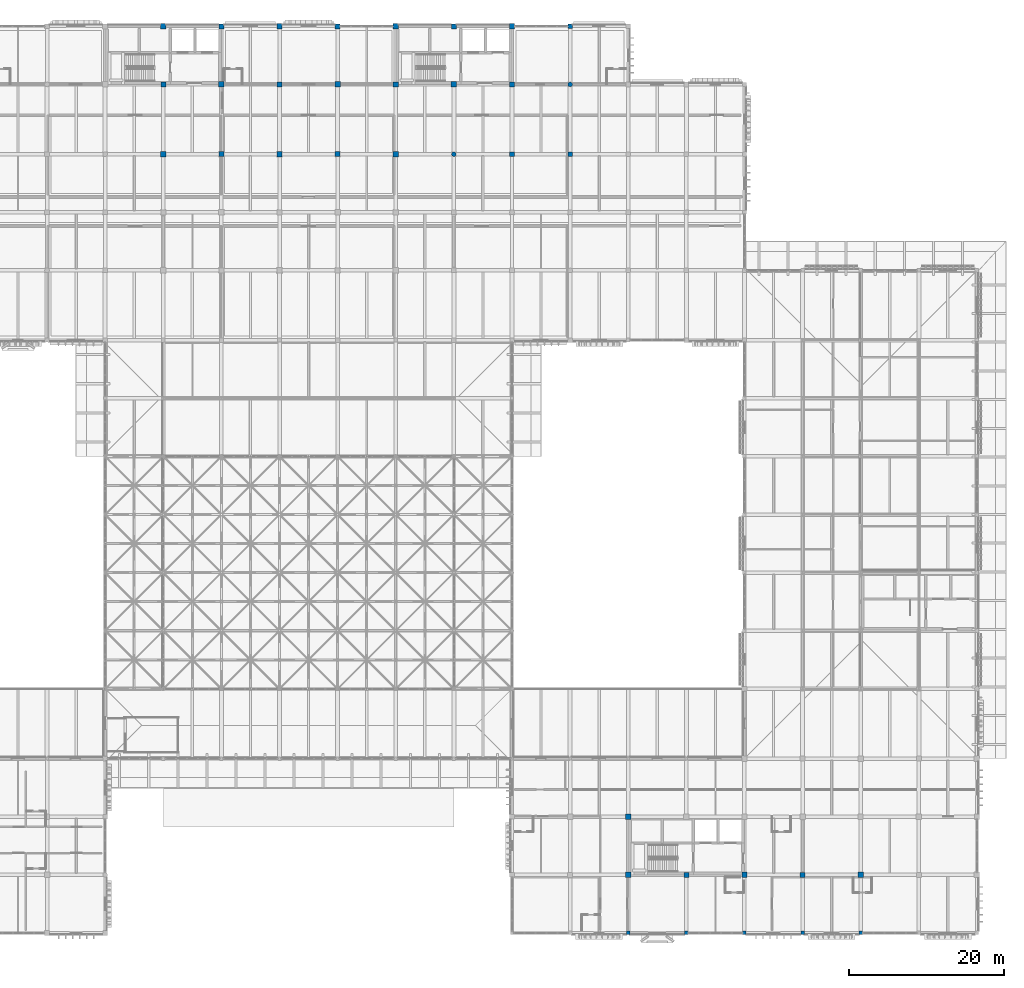
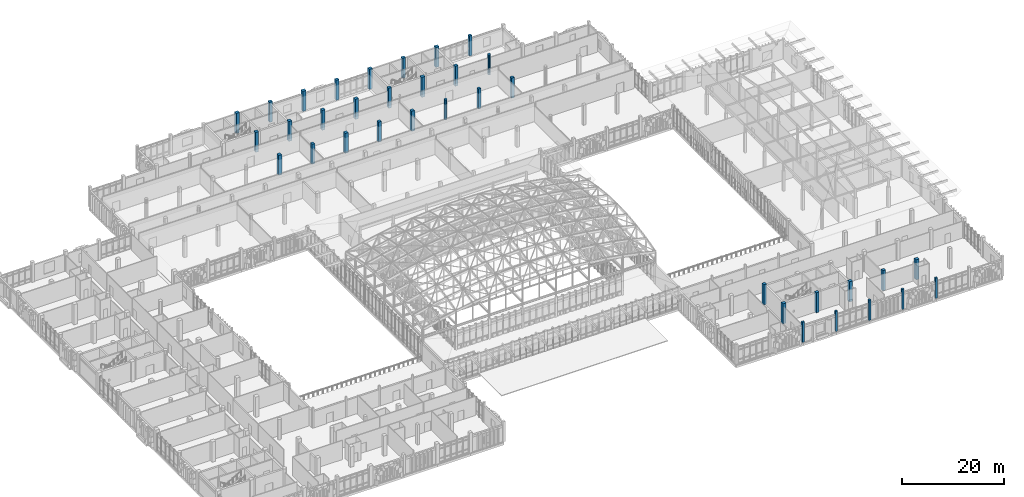
# One storey, part 10 of 131: 35 columns.
"""IFC4 building model written with IfcOpenShell, lengths in metres."""

from ifc_helpers import new_model, si_unit, direction, frame, origin, origin_2d, place, context, subcontext, project, spatial, rectangle, circle, extrude, material, material_profile, profile_set, type_object, element, save


model = new_model("IFC4")

# Units and contexts
model_context = context("Model", 3, precision=1e-05, world=origin(), true_north=direction((0.0, 1.0)))
body_context = subcontext(model_context, "Body", "Model", "MODEL_VIEW")
ifc_project = project(units=[si_unit("LENGTHUNIT", "METRE"), si_unit("AREAUNIT", "SQUARE_METRE"), si_unit("VOLUMEUNIT", "CUBIC_METRE"), si_unit("PLANEANGLEUNIT", "RADIAN"), si_unit("MASSUNIT", "GRAM", prefix="KILO")], contexts=[model_context])

# Site, building, storey
site_placement = place(None, origin())
site = spatial("IfcSite", under=ifc_project, at=site_placement, CompositionType="ELEMENT")
building_placement = place(site_placement, origin())
building = spatial("IfcBuilding", under=site, at=building_placement, Name="Dalvernix Boulevard General Hospital", CompositionType="ELEMENT")
storey_placement = place(building_placement, frame((0.0, 0.0, 9.300048828125)))
storey = spatial("IfcBuildingStorey", under=building, at=storey_placement, Name="L02", CompositionType="ELEMENT", Elevation=9.300048828125)

# Columns
ifc_material = material(Name="Concrete C40/50", Category="concrete")
ifc_material_profile_1 = material_profile(ifc_material, rectangle(XDim=0.699951171875, YDim=0.699951171875, at=origin_2d()), Name="RC 700x700")
ifc_profile_set_1 = profile_set([ifc_material_profile_1], Name="Concrete C40/50")
column_type_1 = type_object("IfcColumnType", Name="COL-C-05-E", PredefinedType="COLUMN", material=ifc_profile_set_1)
for number, where, z_axis, x_axis, name in (
    (1, (67.5, 117.0, 0.0), (0.0, 0.0, 1.0), (1.0, 0.0, 0.0), "L02 column 10R"),
    (2, (82.5, 117.0, 0.0), (0.0, 0.0, 1.0), (1.0, 0.0, 0.0), "L02 column 12R"),
    (3, (97.5, 117.0, 0.0), (0.0, 0.0, 1.0), (1.0, 0.0, 0.0), "L02 column 14R"),
    (4, (112.5, 117.0, 0.0), (0.0, 0.0, 1.0), (1.0, 0.0, 0.0), "L02 column 16R"),
):
    element("IfcColumn", number, at=place(storey_placement, frame(where, z_axis=z_axis, x_axis=x_axis)), inside=storey, type_object=column_type_1, Name=name, PredefinedType="COLUMN", context=body_context, shape_type="SweptSolid", body=[
        extrude(rectangle(XDim=0.699951171875, YDim=0.699951171875, at=origin_2d()), origin(), (0.0, 0.0, 1.0), 4.800048828125),
    ])
ifc_material_profile_2 = material_profile(ifc_material, rectangle(XDim=0.699951171875, YDim=0.699951171875, at=origin_2d()), Name="RC 700x700")
ifc_profile_set_2 = profile_set([ifc_material_profile_2], Name="Concrete C40/50")
column_type_2 = type_object("IfcColumnType", Name="COL-C-05-I", PredefinedType="COLUMN", material=ifc_profile_set_2)
for number, where, z_axis, x_axis, name in (
    (5, (67.5, 100.5, 0.0), (0.0, 0.0, 1.0), (1.0, 0.0, 0.0), "L02 column 10P"),
    (6, (75.0, 109.5, 0.0), (0.0, 0.0, 1.0), (1.0, 0.0, 0.0), "L02 column 11Q"),
    (7, (82.5, 100.5, 0.0), (0.0, 0.0, 1.0), (1.0, 0.0, 0.0), "L02 column 12P"),
    (8, (90.0, 109.5, 0.0), (0.0, 0.0, 1.0), (1.0, 0.0, 0.0), "L02 column 13Q"),
    (9, (97.5, 100.5, 0.0), (0.0, 0.0, 1.0), (1.0, 0.0, 0.0), "L02 column 14P"),
    (10, (105.0, 109.5, 0.0), (0.0, 0.0, 1.0), (1.0, 0.0, 0.0), "L02 column 15Q"),
    (11, (127.5, 7.5, 0.0), (0.0, 0.0, 1.0), (1.0, 0.0, 0.0), "L02 column 18B"),
    (12, (142.5, 7.5, 0.0), (0.0, 0.0, 1.0), (1.0, 0.0, 0.0), "L02 column 20B"),
    (13, (157.5, 7.5, 0.0), (0.0, 0.0, 1.0), (1.0, 0.0, 0.0), "L02 column 22B"),
):
    element("IfcColumn", number, at=place(storey_placement, frame(where, z_axis=z_axis, x_axis=x_axis)), inside=storey, type_object=column_type_2, Name=name, PredefinedType="COLUMN", context=body_context, shape_type="SweptSolid", body=[
        extrude(rectangle(XDim=0.699951171875, YDim=0.699951171875, at=origin_2d()), origin(), (0.0, 0.0, 1.0), 4.800048828125),
    ])
ifc_material_profile_3 = material_profile(ifc_material, rectangle(XDim=0.64990234375, YDim=0.64990234375, at=origin_2d()), Name="RC 650x650")
ifc_profile_set_3 = profile_set([ifc_material_profile_3], Name="Concrete C40/50")
column_type_3 = type_object("IfcColumnType", Name="COL-C-06-E", PredefinedType="COLUMN", material=ifc_profile_set_3)
for number, where, z_axis, x_axis, name in (
    (14, (75.0, 117.0, 0.0), (0.0, 0.0, 1.0), (1.0, 0.0, 0.0), "L02 column 11R"),
    (15, (90.0, 117.0, 0.0), (0.0, 0.0, 1.0), (1.0, 0.0, 0.0), "L02 column 13R"),
    (16, (105.0, 117.0, 0.0), (0.0, 0.0, 1.0), (1.0, 0.0, 0.0), "L02 column 15R"),
):
    element("IfcColumn", number, at=place(storey_placement, frame(where, z_axis=z_axis, x_axis=x_axis)), inside=storey, type_object=column_type_3, Name=name, PredefinedType="COLUMN", context=body_context, shape_type="SweptSolid", body=[
        extrude(rectangle(XDim=0.64990234375, YDim=0.64990234375, at=origin_2d()), origin(), (0.0, 0.0, 1.0), 4.800048828125),
    ])
ifc_material_profile_4 = material_profile(ifc_material, rectangle(XDim=0.64990234375, YDim=0.64990234375, at=origin_2d()), Name="RC 650x650")
ifc_profile_set_4 = profile_set([ifc_material_profile_4], Name="Concrete C40/50")
column_type_4 = type_object("IfcColumnType", Name="COL-C-06-I", PredefinedType="COLUMN", material=ifc_profile_set_4)
for number, where, z_axis, x_axis, name in (
    (17, (67.5, 109.5, 0.0), (0.0, 0.0, 1.0), (1.0, 0.0, 0.0), "L02 column 10Q"),
    (18, (75.0, 100.5, 0.0), (0.0, 0.0, 1.0), (1.0, 0.0, 0.0), "L02 column 11P"),
    (19, (82.5, 109.5, 0.0), (0.0, 0.0, 1.0), (1.0, 0.0, 0.0), "L02 column 12Q"),
    (20, (90.0, 100.5, 0.0), (0.0, 0.0, 1.0), (1.0, 0.0, 0.0), "L02 column 13P"),
    (21, (97.5, 109.5, 0.0), (0.0, 0.0, 1.0), (1.0, 0.0, 0.0), "L02 column 14Q"),
    (22, (112.5, 109.5, 0.0), (0.0, 0.0, 1.0), (1.0, 0.0, 0.0), "L02 column 16Q"),
    (23, (127.5, 15.0, 0.0), (0.0, 0.0, 1.0), (1.0, 0.0, 0.0), "L02 column 18C"),
    (24, (135.0, 7.5, 0.0), (0.0, 0.0, 1.0), (1.0, 0.0, 0.0), "L02 column 19B"),
    (25, (150.0, 7.5, 0.0), (0.0, 0.0, 1.0), (1.0, 0.0, 0.0), "L02 column 21B"),
):
    element("IfcColumn", number, at=place(storey_placement, frame(where, z_axis=z_axis, x_axis=x_axis)), inside=storey, type_object=column_type_4, Name=name, PredefinedType="COLUMN", context=body_context, shape_type="SweptSolid", body=[
        extrude(rectangle(XDim=0.64990234375, YDim=0.64990234375, at=origin_2d()), origin(), (0.0, 0.0, 1.0), 4.800048828125),
    ])
ifc_material_profile_5 = material_profile(ifc_material, rectangle(XDim=0.60009765625, YDim=0.60009765625, at=origin_2d()), Name="RC 600x600")
ifc_profile_set_5 = profile_set([ifc_material_profile_5], Name="Concrete C40/50")
column_type_5 = type_object("IfcColumnType", Name="COL-C-07-E", PredefinedType="COLUMN", material=ifc_profile_set_5)
column_placement = place(storey_placement, frame((120.0, 117.0, 0.0), z_axis=(0.0, 0.0, 1.0), x_axis=(1.0, 0.0, 0.0)))
element("IfcColumn", 26, at=column_placement, inside=storey, type_object=column_type_5, Name="L02 column 17R", PredefinedType="COLUMN", context=body_context, shape_type="SweptSolid", body=[
    extrude(rectangle(XDim=0.60009765625, YDim=0.60009765625, at=origin_2d()), origin(), (0.0, 0.0, 1.0), 4.800048828125),
])
ifc_material_profile_6 = material_profile(ifc_material, rectangle(XDim=0.60009765625, YDim=0.60009765625, at=origin_2d()), Name="RC 600x600")
ifc_profile_set_6 = profile_set([ifc_material_profile_6], Name="Concrete C40/50")
column_type_6 = type_object("IfcColumnType", Name="COL-C-07-I", PredefinedType="COLUMN", material=ifc_profile_set_6)
for number, where, z_axis, x_axis, name in (
    (27, (112.5, 100.5, 0.0), (0.0, 0.0, 1.0), (1.0, 0.0, 0.0), "L02 column 16P"),
    (28, (120.0, 100.5, 0.0), (0.0, 0.0, 1.0), (1.0, 0.0, 0.0), "L02 column 17P"),
):
    element("IfcColumn", number, at=place(storey_placement, frame(where, z_axis=z_axis, x_axis=x_axis)), inside=storey, type_object=column_type_6, Name=name, PredefinedType="COLUMN", context=body_context, shape_type="SweptSolid", body=[
        extrude(rectangle(XDim=0.60009765625, YDim=0.60009765625, at=origin_2d()), origin(), (0.0, 0.0, 1.0), 4.800048828125),
    ])
ifc_material_profile_7 = material_profile(ifc_material, rectangle(XDim=0.449951171875, YDim=0.449951171875, at=origin_2d()), Name="RC 450x450")
ifc_profile_set_7 = profile_set([ifc_material_profile_7], Name="Concrete C40/50")
column_type_7 = type_object("IfcColumnType", Name="COL-C-10-E", PredefinedType="COLUMN", material=ifc_profile_set_7)
for number, where, z_axis, x_axis, name in (
    (29, (127.5, 0.0, 0.0), (0.0, 0.0, 1.0), (1.0, 0.0, 0.0), "L02 column 18A"),
    (30, (135.0, 0.0, 0.0), (0.0, 0.0, 1.0), (1.0, 0.0, 0.0), "L02 column 19A"),
    (31, (142.5, 0.0, 0.0), (0.0, 0.0, 1.0), (1.0, 0.0, 0.0), "L02 column 20A"),
    (32, (150.0, 0.0, 0.0), (0.0, 0.0, 1.0), (1.0, 0.0, 0.0), "L02 column 21A"),
    (33, (157.5, 0.0, 0.0), (0.0, 0.0, 1.0), (1.0, 0.0, 0.0), "L02 column 22A"),
):
    element("IfcColumn", number, at=place(storey_placement, frame(where, z_axis=z_axis, x_axis=x_axis)), inside=storey, type_object=column_type_7, Name=name, PredefinedType="COLUMN", context=body_context, shape_type="SweptSolid", body=[
        extrude(rectangle(XDim=0.449951171875, YDim=0.449951171875, at=origin_2d()), origin(), (0.0, 0.0, 1.0), 4.800048828125),
    ])
ifc_material_profile_8 = material_profile(ifc_material, circle(Radius=0.300048828125, at=origin_2d()), Name="RC D600")
ifc_profile_set_8 = profile_set([ifc_material_profile_8], Name="Concrete C40/50")
column_type_8 = type_object("IfcColumnType", Name="COL-C-15-I", PredefinedType="COLUMN", material=ifc_profile_set_8)
for number, where, z_axis, x_axis, name in (
    (34, (105.0, 100.5, 0.0), (0.0, 0.0, 1.0), (1.0, 0.0, 0.0), "L02 column 15P"),
    (35, (120.0, 109.5, 0.0), (0.0, 0.0, 1.0), (1.0, 0.0, 0.0), "L02 column 17Q"),
):
    element("IfcColumn", number, at=place(storey_placement, frame(where, z_axis=z_axis, x_axis=x_axis)), inside=storey, type_object=column_type_8, Name=name, PredefinedType="COLUMN", context=body_context, shape_type="SweptSolid", body=[
        extrude(circle(Radius=0.300048828125, at=origin_2d()), origin(), (0.0, 0.0, 1.0), 4.800048828125),
    ])

save(model, "model.ifc")
